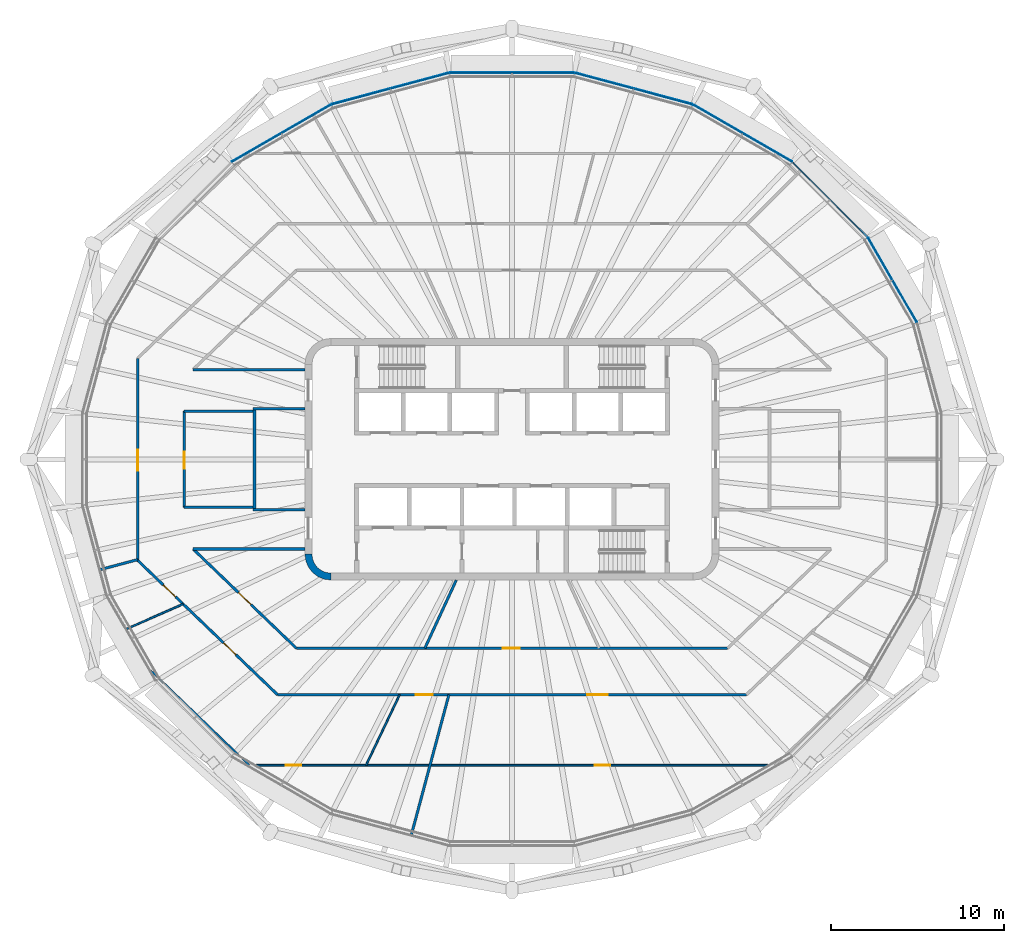
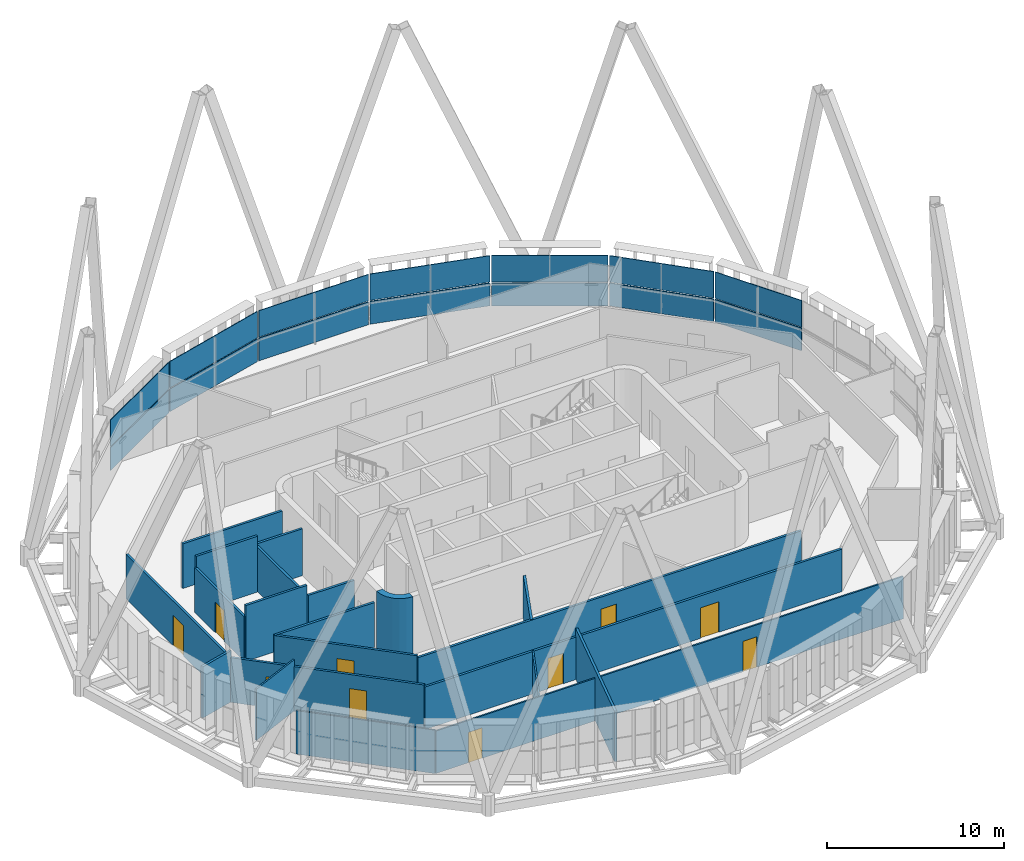
# One storey, part 8 of 18: 21 walls, 14 plates, 10 doors, 10 openings, 7 elements without a shape of their own.
"""IFC4 building model written with IfcOpenShell, lengths in metres."""

from ifc_helpers import new_model, si_unit, direction, frame, frame_2d, origin, place, context, subcontext, project, spatial, polyline, rectangle, outline, extrude, material, layer, layer_set, type_object, element, fill, aggregate, save


model = new_model("IFC4")

# Units and contexts
model_context = context("Model", 3, precision=1e-05, world=origin(), true_north=direction((0.0, 1.0)))
body_context = subcontext(model_context, "Body", "Model", "MODEL_VIEW")
ifc_project = project(units=[si_unit("LENGTHUNIT", "METRE"), si_unit("AREAUNIT", "SQUARE_METRE"), si_unit("VOLUMEUNIT", "CUBIC_METRE"), si_unit("PLANEANGLEUNIT", "RADIAN"), si_unit("MASSUNIT", "GRAM", prefix="KILO")], contexts=[model_context])

# Site, building, storey
site_placement = place(None, origin())
site = spatial("IfcSite", under=ifc_project, at=site_placement, CompositionType="ELEMENT")
building_placement = place(site_placement, origin())
building = spatial("IfcBuilding", under=site, at=building_placement, Name="Sahrelin Media Tower", CompositionType="ELEMENT")
storey_placement = place(building_placement, frame((0.0, 0.0, 316.39990234375)))
storey = spatial("IfcBuildingStorey", under=building, at=storey_placement, Name="L70", CompositionType="ELEMENT", Elevation=316.39990234375)

# Curtain wall, plate
ifc_material_1 = material(Name="Champagne anodised aluminium 6063-T6", Category="aluminium")
ifc_layer_1 = layer(ifc_material_1, 0.14990234375)
ifc_layer_set_1 = layer_set([ifc_layer_1], Name="Tower ribbon curtain wall")
curtain_wall_type = type_object("IfcCurtainWallType", Name="Tower ribbon curtain wall", PredefinedType="NOTDEFINED", material=ifc_layer_set_1)
curtain_wall_1_placement = place(storey_placement, frame((22.0615234375, 10.3876953125, 0.0), z_axis=(0.0, 0.0, 1.0), x_axis=(1.0, 0.0, 0.0)))
curtain_wall_1 = element("IfcCurtainWall", 1, at=curtain_wall_1_placement, inside=storey, type_object=curtain_wall_type, Name="L70:CW:L70-02", PredefinedType="NOTDEFINED")
ifc_material_2 = material(Name="Clear low-iron glazing", Category="glass")
ifc_layer_2 = layer(ifc_material_2, 0.048095703125)
ifc_layer_set_2 = layer_set([ifc_layer_2], Name="Glazing panel 48 mm CW1C")
plate_type_1 = type_object("IfcPlateType", Name="Glazing panel 48 mm CW1C", PredefinedType="CURTAIN_PANEL", material=ifc_layer_set_2)
plate_1_placement = place(storey_placement, frame((23.485107421875, 7.961669921875, 1.630126953125), z_axis=(0.866025866482, 0.499999198584, 0.0), x_axis=(-0.499999198584, 0.866025866482, 0.0)))
plate_1 = element("IfcPlate", 2, at=plate_1_placement, type_object=plate_type_1, Name="L70:CWP2:L70-02", PredefinedType="CURTAIN_PANEL", context=body_context, shape_type="SweptSolid", body=[
    extrude(outline(polyline([(0.0, 0.0), (5.62548828125, 0.0), (5.62548828125, 1.818603515625), (0.0, 1.818603515625), (0.0, 0.0)])), origin(), (0.0, 0.0, -1.0), 0.048095703125),
])

curtain_wall_2_placement = place(storey_placement, frame((18.447509765625, 15.04931640625, 0.0), z_axis=(0.0, 0.0, 1.0), x_axis=(1.0, 0.0, 0.0)))
curtain_wall_2 = element("IfcCurtainWall", 3, at=curtain_wall_2_placement, inside=storey, type_object=curtain_wall_type, Name="L70:CW:L70-03", PredefinedType="NOTDEFINED")
plate_2_placement = place(storey_placement, frame((20.60888671875, 12.916259765625, 1.630126953125), z_axis=(0.707106781187, 0.707106781187, 0.0), x_axis=(-0.707106781187, 0.707106781187, 0.0)))
plate_2 = element("IfcPlate", 4, at=plate_2_placement, type_object=plate_type_1, Name="L70:CWP2:L70-03", PredefinedType="CURTAIN_PANEL", context=body_context, shape_type="SweptSolid", body=[
    extrude(outline(polyline([(0.0, 0.0), (6.073486328125, 0.0), (6.073486328125, 1.818603515625), (0.0, 1.818603515625), (0.0, 0.0)])), origin(), (0.0, 0.0, -1.0), 0.048095703125),
])

curtain_wall_3_placement = place(storey_placement, frame((13.372314453125, 18.902099609375, 0.0), z_axis=(0.0, 0.0, 1.0), x_axis=(1.0, 0.0, 0.0)))
curtain_wall_3 = element("IfcCurtainWall", 5, at=curtain_wall_3_placement, inside=storey, type_object=curtain_wall_type, Name="L70:CW:L70-04", PredefinedType="NOTDEFINED")
plate_3_placement = place(storey_placement, frame((16.2314453125, 17.2744140625, 1.630126953125), z_axis=(0.50001794124, 0.866015045157, 0.0), x_axis=(-0.866015045157, 0.50001794124, 0.0)))
plate_3 = element("IfcPlate", 6, at=plate_3_placement, type_object=plate_type_1, Name="L70:CWP2:L70-04", PredefinedType="CURTAIN_PANEL", context=body_context, shape_type="SweptSolid", body=[
    extrude(outline(polyline([(0.0, 0.0), (6.579833984375, 0.0), (6.579833984375, 1.818603515625), (0.0, 1.818603515625), (0.0, 0.0)])), origin(), (0.0, 0.0, -1.0), 0.048095703125),
])

curtain_wall_4_placement = place(storey_placement, frame((7.0537109375, 21.489990234375, 0.0), z_axis=(0.0, 0.0, 1.0), x_axis=(1.0, 0.0, 0.0)))
curtain_wall_4 = element("IfcCurtainWall", 7, at=curtain_wall_4_placement, inside=storey, type_object=curtain_wall_type, Name="L70:CW:L70-05", PredefinedType="NOTDEFINED")
plate_4_placement = place(storey_placement, frame((10.436767578125, 20.6044921875, 1.630126953125), z_axis=(0.258805297461, 0.965929509854, 0.0), x_axis=(-0.965929509854, 0.258805297461, 0.0)))
plate_4 = element("IfcPlate", 8, at=plate_4_placement, type_object=plate_type_1, Name="L70:CWP2:L70-05", PredefinedType="CURTAIN_PANEL", context=body_context, shape_type="SweptSolid", body=[
    extrude(outline(polyline([(0.0, 0.0), (6.993896484375, 0.0), (6.993896484375, 1.818603515625), (0.0, 1.818603515625), (0.0, 0.0)])), origin(), (0.0, 0.0, -1.0), 0.048095703125),
])

curtain_wall_5_placement = place(storey_placement, frame((0.0, 22.408203125, 0.0), z_axis=(0.0, 0.0, 1.0), x_axis=(1.0, 0.0, 0.0)))
curtain_wall_5 = element("IfcCurtainWall", 9, at=curtain_wall_5_placement, inside=storey, type_object=curtain_wall_type, Name="L70:CW:L70-06", PredefinedType="NOTDEFINED")
plate_5_placement = place(storey_placement, frame((3.57763671875, 22.427978515625, 1.630126953125), z_axis=(0.0, 1.0, 0.0), x_axis=(-1.0, 0.0, 0.0)))
plate_5 = element("IfcPlate", 10, at=plate_5_placement, type_object=plate_type_1, Name="L70:CWP2:L70-06", PredefinedType="CURTAIN_PANEL", context=body_context, shape_type="SweptSolid", body=[
    extrude(outline(polyline([(0.0, 0.0), (7.1552734375, 0.0), (7.1552734375, 1.818603515625), (0.0, 1.818603515625), (0.0, 0.0)])), origin(), (0.0, 0.0, -1.0), 0.048095703125),
])

curtain_wall_6_placement = place(storey_placement, frame((-7.0537109375, 21.489990234375, 0.0), z_axis=(0.0, 0.0, 1.0), x_axis=(1.0, 0.0, 0.0)))
curtain_wall_6 = element("IfcCurtainWall", 11, at=curtain_wall_6_placement, inside=storey, type_object=curtain_wall_type, Name="L70:CW:L70-07", PredefinedType="NOTDEFINED")
plate_6_placement = place(storey_placement, frame((-3.68115234375, 22.41455078125, 1.630126953125), z_axis=(-0.258805297461, 0.965929509854, 0.0), x_axis=(-0.965929509854, -0.258805297461, 0.0)))
plate_6 = element("IfcPlate", 12, at=plate_6_placement, type_object=plate_type_1, Name="L70:CWP2:L70-07", PredefinedType="CURTAIN_PANEL", context=body_context, shape_type="SweptSolid", body=[
    extrude(outline(polyline([(0.0, 0.0), (6.993896484375, 0.0), (6.993896484375, 1.818603515625), (0.0, 1.818603515625), (0.0, 0.0)])), origin(), (0.0, 0.0, -1.0), 0.048095703125),
])

curtain_wall_7_placement = place(storey_placement, frame((-13.372314453125, 18.902099609375, 0.0), z_axis=(0.0, 0.0, 1.0), x_axis=(1.0, 0.0, 0.0)))
curtain_wall_7 = element("IfcCurtainWall", 13, at=curtain_wall_7_placement, inside=storey, type_object=curtain_wall_type, Name="L70:CW:L70-08", PredefinedType="NOTDEFINED")
plate_7_placement = place(storey_placement, frame((-10.533203125, 20.564453125, 1.630126953125), z_axis=(-0.50001794124, 0.866015045157, 0.0), x_axis=(-0.866015045157, -0.50001794124, 0.0)))
plate_7 = element("IfcPlate", 14, at=plate_7_placement, type_object=plate_type_1, Name="L70:CWP2:L70-08", PredefinedType="CURTAIN_PANEL", context=body_context, shape_type="SweptSolid", body=[
    extrude(outline(polyline([(0.0, 0.0), (6.579833984375, 0.0), (6.579833984375, 1.818603515625), (0.0, 1.818603515625), (0.0, 0.0)])), origin(), (0.0, 0.0, -1.0), 0.048095703125),
])

# Plate
ifc_material_3 = material(Name="Insulated spandrel panel")
ifc_layer_3 = layer(ifc_material_3, 0.06005859375)
ifc_layer_set_3 = layer_set([ifc_layer_3], Name="Spandrel panel 60 mm CW1")
plate_type_2 = type_object("IfcPlateType", Name="Spandrel panel 60 mm CW1", PredefinedType="SHEET", material=ifc_layer_set_3)
plate_8_placement = place(storey_placement, frame((23.485107421875, 7.961669921875, 0.0), z_axis=(0.866025866482, 0.499999198584, 0.0), x_axis=(-0.499999198584, 0.866025866482, 0.0)))
plate_8 = element("IfcPlate", 15, at=plate_8_placement, type_object=plate_type_2, Name="L70:CWP1:L70-02", PredefinedType="SHEET", context=body_context, shape_type="SweptSolid", body=[
    extrude(outline(polyline([(0.0, 0.0), (5.62548828125, 0.0), (5.62548828125, 1.570068359375), (0.0, 1.570068359375), (0.0, 0.0)])), origin(), (0.0, 0.0, -1.0), 0.06005859375),
])

aggregate(curtain_wall_1, [plate_8, plate_1])

plate_9_placement = place(storey_placement, frame((20.60888671875, 12.916259765625, 0.0), z_axis=(0.707106781187, 0.707106781187, 0.0), x_axis=(-0.707106781187, 0.707106781187, 0.0)))
plate_9 = element("IfcPlate", 16, at=plate_9_placement, type_object=plate_type_2, Name="L70:CWP1:L70-03", PredefinedType="SHEET", context=body_context, shape_type="SweptSolid", body=[
    extrude(outline(polyline([(0.0, 0.0), (6.073486328125, 0.0), (6.073486328125, 1.570068359375), (0.0, 1.570068359375), (0.0, 0.0)])), origin(), (0.0, 0.0, -1.0), 0.06005859375),
])

aggregate(curtain_wall_2, [plate_9, plate_2])

plate_10_placement = place(storey_placement, frame((16.2314453125, 17.2744140625, 0.0), z_axis=(0.50001794124, 0.866015045157, 0.0), x_axis=(-0.866015045157, 0.50001794124, 0.0)))
plate_10 = element("IfcPlate", 17, at=plate_10_placement, type_object=plate_type_2, Name="L70:CWP1:L70-04", PredefinedType="SHEET", context=body_context, shape_type="SweptSolid", body=[
    extrude(outline(polyline([(0.0, 0.0), (6.579833984375, 0.0), (6.579833984375, 1.570068359375), (0.0, 1.570068359375), (0.0, 0.0)])), origin(), (0.0, 0.0, -1.0), 0.06005859375),
])

aggregate(curtain_wall_3, [plate_10, plate_3])

plate_11_placement = place(storey_placement, frame((10.436767578125, 20.6044921875, 0.0), z_axis=(0.258805297461, 0.965929509854, 0.0), x_axis=(-0.965929509854, 0.258805297461, 0.0)))
plate_11 = element("IfcPlate", 18, at=plate_11_placement, type_object=plate_type_2, Name="L70:CWP1:L70-05", PredefinedType="SHEET", context=body_context, shape_type="SweptSolid", body=[
    extrude(outline(polyline([(0.0, 0.0), (6.993896484375, 0.0), (6.993896484375, 1.570068359375), (0.0, 1.570068359375), (0.0, 0.0)])), origin(), (0.0, 0.0, -1.0), 0.06005859375),
])

aggregate(curtain_wall_4, [plate_11, plate_4])

plate_12_placement = place(storey_placement, frame((3.57763671875, 22.427978515625, 0.0), z_axis=(0.0, 1.0, 0.0), x_axis=(-1.0, 0.0, 0.0)))
plate_12 = element("IfcPlate", 19, at=plate_12_placement, type_object=plate_type_2, Name="L70:CWP1:L70-06", PredefinedType="SHEET", context=body_context, shape_type="SweptSolid", body=[
    extrude(outline(polyline([(0.0, 0.0), (7.1552734375, 0.0), (7.1552734375, 1.570068359375), (0.0, 1.570068359375), (0.0, 0.0)])), origin(), (0.0, 0.0, -1.0), 0.06005859375),
])

aggregate(curtain_wall_5, [plate_12, plate_5])

plate_13_placement = place(storey_placement, frame((-3.68115234375, 22.41455078125, 0.0), z_axis=(-0.258805297461, 0.965929509854, 0.0), x_axis=(-0.965929509854, -0.258805297461, 0.0)))
plate_13 = element("IfcPlate", 20, at=plate_13_placement, type_object=plate_type_2, Name="L70:CWP1:L70-07", PredefinedType="SHEET", context=body_context, shape_type="SweptSolid", body=[
    extrude(outline(polyline([(0.0, 0.0), (6.993896484375, 0.0), (6.993896484375, 1.570068359375), (0.0, 1.570068359375), (0.0, 0.0)])), origin(), (0.0, 0.0, -1.0), 0.06005859375),
])

aggregate(curtain_wall_6, [plate_13, plate_6])

plate_14_placement = place(storey_placement, frame((-10.533203125, 20.564453125, 0.0), z_axis=(-0.50001794124, 0.866015045157, 0.0), x_axis=(-0.866015045157, -0.50001794124, 0.0)))
plate_14 = element("IfcPlate", 21, at=plate_14_placement, type_object=plate_type_2, Name="L70:CWP1:L70-08", PredefinedType="SHEET", context=body_context, shape_type="SweptSolid", body=[
    extrude(outline(polyline([(0.0, 0.0), (6.579833984375, 0.0), (6.579833984375, 1.570068359375), (0.0, 1.570068359375), (0.0, 0.0)])), origin(), (0.0, 0.0, -1.0), 0.06005859375),
])

aggregate(curtain_wall_7, [plate_14, plate_7])

# Walls
ifc_material_4 = material(Name="Concrete C60/75", Category="concrete")
ifc_layer_4 = layer(ifc_material_4, 0.39990234375)
ifc_layer_set_4 = layer_set([ifc_layer_4], Name="Core wall 400")
wall_type_1 = type_object("IfcWallType", Name="Core wall 400", PredefinedType="SHEAR", material=ifc_layer_set_4)
wall_1_placement = place(storey_placement, origin())
element("IfcWall", 22, at=wall_1_placement, inside=storey, type_object=wall_type_1, Name="Core wall corner SW L70", PredefinedType="SHEAR", context=body_context, shape_type="SweptSolid", body=[
    extrude(outline(polyline([(-10.5, -7.0), (-10.5, -6.596435546875), (-10.78369140625, -6.55908203125), (-11.04833984375, -6.44970703125), (-11.275390625, -6.275390625), (-11.44970703125, -6.04833984375), (-11.55908203125, -5.78369140625), (-11.596435546875, -5.5), (-12.0, -5.5), (-11.948974609375, -5.88818359375), (-11.799072265625, -6.25), (-11.560791015625, -6.560791015625), (-11.25, -6.799072265625), (-10.88818359375, -6.948974609375), (-10.5, -7.0)])), origin(), (0.0, 0.0, 1.0), 4.0),
])
ifc_material_5 = material(Name="Fire-rated gypsum board partition")
ifc_layer_5 = layer(ifc_material_5, 0.14990234375)
ifc_layer_set_5 = layer_set([ifc_layer_5], Name="Fire-rated partition 150")
wall_type_2 = type_object("IfcWallType", Name="Fire-rated partition 150", PredefinedType="PARTITIONING", material=ifc_layer_set_5)
wall_2_placement = place(storey_placement, frame((-14.925048828125, -2.85009765625, 0.0), z_axis=(0.0, 0.0, 1.0), x_axis=(0.0, 1.0, 0.0)))
element("IfcWall", 23, at=wall_2_placement, inside=storey, type_object=wall_type_2, Name="Core room fire partition", PredefinedType="PARTITIONING", context=body_context, shape_type="SweptSolid", body=[
    extrude(rectangle(XDim=5.7001953125, YDim=0.14990234375, at=frame_2d((2.85009765625, 0.0))), origin(), (0.0, 0.0, 1.0), 3.076171875),
])
for number, where, z_axis, x_axis, name in (
    (24, (-15.0, 2.925048828125, 0.0), (0.0, 0.0, 1.0), (1.0, 0.0, 0.0), "Core room fire partition"),
    (25, (-15.0, -2.925048828125, 0.0), (0.0, 0.0, 1.0), (1.0, 0.0, 0.0), "Core room fire partition"),
):
    element("IfcWall", number, at=place(storey_placement, frame(where, z_axis=z_axis, x_axis=x_axis)), inside=storey, type_object=wall_type_2, Name=name, PredefinedType="PARTITIONING", context=body_context, shape_type="SweptSolid", body=[
        extrude(rectangle(XDim=3.0, YDim=0.14990234375, at=frame_2d((1.5, 0.0))), origin(), (0.0, 0.0, 1.0), 3.2275390625),
    ])

# Wall, openings, doors
wall_3_placement = place(storey_placement, frame((-21.699951171875, -5.85498046875, 0.0), z_axis=(0.0, 0.0, 1.0), x_axis=(0.721260272646, -0.692664145963, 0.0)))
wall_3 = element("IfcWall", 26, at=wall_3_placement, inside=storey, type_object=wall_type_2, Name="Wall", PredefinedType="PARTITIONING", context=body_context, shape_type="SweptSolid", body=[
    extrude(rectangle(XDim=11.25244140625, YDim=0.14990234375, at=frame_2d((5.626220703125, 0.0))), origin(), (0.0, 0.0, 1.0), 3.076171875),
])
opening_1_placement = place(wall_3_placement, frame((2.05712890625, 0.0, 0.0)))
opening_1 = element("IfcOpeningElement", 27, at=opening_1_placement, cuts=wall_3, Name="Opening L70-D25", PredefinedType="OPENING", context=body_context, shape_type="SweptSolid", body=[
    extrude(rectangle(XDim=1.0, YDim=2.10009765625, at=frame_2d((0.5, 1.050048828125))), frame((0.0, 0.074951171875, 0.0), z_axis=(0.0, -1.0, 0.0), x_axis=(1.0, 0.0, 0.0)), (0.0, 0.0, 1.0), 0.14990234375),
])
opening_2_placement = place(wall_3_placement, frame((6.90478515625, 0.0, 0.0)))
opening_2 = element("IfcOpeningElement", 28, at=opening_2_placement, cuts=wall_3, Name="Opening L70-D26", PredefinedType="OPENING", context=body_context, shape_type="SweptSolid", body=[
    extrude(rectangle(XDim=1.0, YDim=2.10009765625, at=frame_2d((0.5, 1.050048828125))), frame((0.0, 0.074951171875, 0.0), z_axis=(0.0, -1.0, 0.0), x_axis=(1.0, 0.0, 0.0)), (0.0, 0.0, 1.0), 0.14990234375),
])
ifc_material_6 = material(Name="Steel fire door leaf", Category="steel")
door_type_1 = type_object("IfcDoorType", Name="Fire door 1000 x 2100 EI 60", OperationType="NOTDEFINED", PredefinedType="DOOR", material=ifc_material_6)
door_1_placement = place(opening_1_placement, origin())
door_1 = element("IfcDoor", 29, at=door_1_placement, inside=storey, type_object=door_type_1, Name="Fire door", OperationType="SINGLE_SWING_RIGHT", OverallHeight=2.10009765625, OverallWidth=1.0, PredefinedType="DOOR", context=body_context, shape_type="SweptSolid", body=[
    extrude(rectangle(XDim=1.0, YDim=2.10009765625, at=frame_2d((0.5, 1.050048828125))), frame((0.0, 0.02490234375, 0.0), z_axis=(0.0, -1.0, 0.0), x_axis=(1.0, 0.0, 0.0)), (0.0, 0.0, 1.0), 0.050048828125),
])
fill(opening_1, door_1)
door_2_placement = place(opening_2_placement, origin())
door_2 = element("IfcDoor", 30, at=door_2_placement, inside=storey, type_object=door_type_1, Name="Fire door", OperationType="SINGLE_SWING_LEFT", OverallHeight=2.10009765625, OverallWidth=1.0, PredefinedType="DOOR", context=body_context, shape_type="SweptSolid", body=[
    extrude(rectangle(XDim=1.0, YDim=2.10009765625, at=frame_2d((0.5, 1.050048828125))), frame((0.0, 0.02490234375, 0.0), z_axis=(0.0, -1.0, 0.0), x_axis=(1.0, 0.0, 0.0)), (0.0, 0.0, 1.0), 0.050048828125),
])
fill(opening_2, door_2)

# Wall, opening, door
wall_4_placement = place(storey_placement, frame((-18.48388671875, -5.199951171875, 0.0), z_axis=(0.0, 0.0, 1.0), x_axis=(0.721258572397, -0.692665916401, 0.0)))
wall_4 = element("IfcWall", 31, at=wall_4_placement, inside=storey, type_object=wall_type_2, Name="Wall", PredefinedType="PARTITIONING", context=body_context, shape_type="SweptSolid", body=[
    extrude(rectangle(XDim=8.299560546875, YDim=0.14990234375, at=frame_2d((4.14990234375, 0.0))), origin(), (0.0, 0.0, 1.0), 3.076171875),
])
opening_3_placement = place(wall_4_placement, frame((3.650390625, 0.0, 0.0)))
opening_3 = element("IfcOpeningElement", 32, at=opening_3_placement, cuts=wall_4, Name="Opening L70-D15", PredefinedType="OPENING", context=body_context, shape_type="SweptSolid", body=[
    extrude(rectangle(XDim=1.0, YDim=2.10009765625, at=frame_2d((0.5, 1.050048828125))), frame((0.0, 0.074951171875, 0.0), z_axis=(0.0, -1.0, 0.0), x_axis=(1.0, 0.0, 0.0)), (0.0, 0.0, 1.0), 0.14990234375),
])
door_3_placement = place(opening_3_placement, origin())
door_3 = element("IfcDoor", 33, at=door_3_placement, inside=storey, type_object=door_type_1, Name="Fire door", OperationType="SINGLE_SWING_LEFT", OverallHeight=2.10009765625, OverallWidth=1.0, PredefinedType="DOOR", context=body_context, shape_type="SweptSolid", body=[
    extrude(rectangle(XDim=1.0, YDim=2.10009765625, at=frame_2d((0.5, 1.050048828125))), frame((0.0, 0.02490234375, 0.0), z_axis=(0.0, -1.0, 0.0), x_axis=(1.0, 0.0, 0.0)), (0.0, 0.0, 1.0), 0.050048828125),
])
fill(opening_3, door_3)

# Wall, openings, doors
wall_5_placement = place(storey_placement, frame((-13.583984375, -13.64892578125, 0.0), z_axis=(0.0, 0.0, 1.0), x_axis=(1.0, 0.0, 0.0)))
wall_5 = element("IfcWall", 34, at=wall_5_placement, inside=storey, type_object=wall_type_2, Name="Wall", PredefinedType="PARTITIONING", context=body_context, shape_type="SweptSolid", body=[
    extrude(rectangle(XDim=27.16796875, YDim=0.14990234375, at=frame_2d((13.583984375, 0.0))), origin(), (0.0, 0.0, 1.0), 2.927001953125),
])
opening_4_placement = place(wall_5_placement, frame((7.99951171875, 0.0, 0.0)))
opening_4 = element("IfcOpeningElement", 35, at=opening_4_placement, cuts=wall_5, Name="Opening L70-D27", PredefinedType="OPENING", context=body_context, shape_type="SweptSolid", body=[
    extrude(rectangle(XDim=1.0, YDim=2.10009765625, at=frame_2d((0.5, 1.050048828125))), frame((0.0, 0.074951171875, 0.0), z_axis=(0.0, -1.0, 0.0), x_axis=(1.0, 0.0, 0.0)), (0.0, 0.0, 1.0), 0.14990234375),
])
opening_5_placement = place(wall_5_placement, frame((17.947509765625, 0.0, 0.0)))
opening_5 = element("IfcOpeningElement", 36, at=opening_5_placement, cuts=wall_5, Name="Opening L70-D29", PredefinedType="OPENING", context=body_context, shape_type="SweptSolid", body=[
    extrude(rectangle(XDim=1.199951171875, YDim=2.10009765625, at=frame_2d((0.60009765625, 1.050048828125))), frame((0.0, 0.074951171875, 0.0), z_axis=(0.0, -1.0, 0.0), x_axis=(1.0, 0.0, 0.0)), (0.0, 0.0, 1.0), 0.14990234375),
])
door_4_placement = place(opening_4_placement, origin())
door_4 = element("IfcDoor", 37, at=door_4_placement, inside=storey, type_object=door_type_1, Name="Fire door", OperationType="SINGLE_SWING_RIGHT", OverallHeight=2.10009765625, OverallWidth=1.0, PredefinedType="DOOR", context=body_context, shape_type="SweptSolid", body=[
    extrude(rectangle(XDim=1.0, YDim=2.10009765625, at=frame_2d((0.5, 1.050048828125))), frame((0.0, 0.02490234375, 0.0), z_axis=(0.0, -1.0, 0.0), x_axis=(1.0, 0.0, 0.0)), (0.0, 0.0, 1.0), 0.050048828125),
])
fill(opening_4, door_4)
door_type_2 = type_object("IfcDoorType", Name="Service double door 1200 x 2100 EI 60", OperationType="DOUBLE_DOOR_SINGLE_SWING", PredefinedType="DOOR", material=ifc_material_6)
door_5_placement = place(opening_5_placement, origin())
door_5 = element("IfcDoor", 38, at=door_5_placement, inside=storey, type_object=door_type_2, Name="Service double door", OperationType="DOUBLE_DOOR_SINGLE_SWING", OverallHeight=2.10009765625, OverallWidth=1.199951171875, PredefinedType="DOOR", context=body_context, shape_type="SweptSolid", body=[
    extrude(rectangle(XDim=1.199951171875, YDim=2.10009765625, at=frame_2d((0.60009765625, 1.050048828125))), frame((0.0, 0.02490234375, 0.0), z_axis=(0.0, -1.0, 0.0), x_axis=(1.0, 0.0, 0.0)), (0.0, 0.0, 1.0), 0.050048828125),
])
fill(opening_5, door_5)

# Wall, opening, door
wall_6_placement = place(storey_placement, frame((-12.498046875, -10.948974609375, 0.0), z_axis=(0.0, 0.0, 1.0), x_axis=(1.0, 0.0, 0.0)))
wall_6 = element("IfcWall", 39, at=wall_6_placement, inside=storey, type_object=wall_type_2, Name="Wall", PredefinedType="PARTITIONING", context=body_context, shape_type="SweptSolid", body=[
    extrude(rectangle(XDim=24.99609375, YDim=0.14990234375, at=frame_2d((12.498046875, 0.0))), origin(), (0.0, 0.0, 1.0), 2.927001953125),
])
opening_6_placement = place(wall_6_placement, frame((11.947998046875, 0.0, 0.0)))
opening_6 = element("IfcOpeningElement", 40, at=opening_6_placement, cuts=wall_6, Name="Opening L70-D16", PredefinedType="OPENING", context=body_context, shape_type="SweptSolid", body=[
    extrude(rectangle(XDim=1.0, YDim=2.10009765625, at=frame_2d((0.5, 1.050048828125))), frame((0.0, 0.074951171875, 0.0), z_axis=(0.0, -1.0, 0.0), x_axis=(1.0, 0.0, 0.0)), (0.0, 0.0, 1.0), 0.14990234375),
])
door_6_placement = place(opening_6_placement, origin())
door_6 = element("IfcDoor", 41, at=door_6_placement, inside=storey, type_object=door_type_1, Name="Fire door", OperationType="SINGLE_SWING_RIGHT", OverallHeight=2.10009765625, OverallWidth=1.0, PredefinedType="DOOR", context=body_context, shape_type="SweptSolid", body=[
    extrude(rectangle(XDim=1.0, YDim=2.10009765625, at=frame_2d((0.5, 1.050048828125))), frame((0.0, 0.02490234375, 0.0), z_axis=(0.0, -1.0, 0.0), x_axis=(1.0, 0.0, 0.0)), (0.0, 0.0, 1.0), 0.050048828125),
])
fill(opening_6, door_6)

# Walls
wall_7_placement = place(storey_placement, frame((-18.48388671875, -5.199951171875, 0.0), z_axis=(0.0, 0.0, 1.0), x_axis=(1.0, 0.0, 0.0)))
element("IfcWall", 42, at=wall_7_placement, inside=storey, type_object=wall_type_2, Name="Wall", PredefinedType="PARTITIONING", context=body_context, shape_type="SweptSolid", body=[
    extrude(rectangle(XDim=6.48388671875, YDim=0.14990234375, at=frame_2d((3.241943359375, 0.0))), origin(), (0.0, 0.0, 1.0), 3.076171875),
])
for number, where, z_axis, x_axis, name in (
    (43, (-19.0, -2.7900390625, 0.0), (0.0, 0.0, 1.0), (1.0, 0.0, 0.0), "Wall"),
    (44, (-19.0, 2.7900390625, 0.0), (0.0, 0.0, 1.0), (1.0, 0.0, 0.0), "Wall"),
):
    element("IfcWall", number, at=place(storey_placement, frame(where, z_axis=z_axis, x_axis=x_axis)), inside=storey, type_object=wall_type_2, Name=name, PredefinedType="PARTITIONING", context=body_context, shape_type="SweptSolid", body=[
        extrude(rectangle(XDim=4.0, YDim=0.14990234375, at=frame_2d((2.0, 0.0))), origin(), (0.0, 0.0, 1.0), 3.85009765625),
    ])
wall_8_placement = place(storey_placement, frame((-18.48388671875, 5.199951171875, 0.0), z_axis=(0.0, 0.0, 1.0), x_axis=(1.0, 0.0, 0.0)))
element("IfcWall", 45, at=wall_8_placement, inside=storey, type_object=wall_type_2, Name="Wall", PredefinedType="PARTITIONING", context=body_context, shape_type="SweptSolid", body=[
    extrude(rectangle(XDim=6.48388671875, YDim=0.14990234375, at=frame_2d((3.241943359375, 0.0))), origin(), (0.0, 0.0, 1.0), 3.076171875),
])
wall_9_placement = place(storey_placement, frame((-23.89599609375, -6.403076171875, 0.0), z_axis=(0.0, 0.0, 1.0), x_axis=(0.965958115434, 0.258698510292, 0.0)))
element("IfcWall", 46, at=wall_9_placement, inside=storey, type_object=wall_type_2, Name="Wall", PredefinedType="PARTITIONING", context=body_context, shape_type="SweptSolid", body=[
    extrude(rectangle(XDim=2.2734375, YDim=0.14990234375, at=frame_2d((1.13671875, 0.0))), origin(), (0.0, 0.0, 1.0), 3.526611328125),
])
wall_10_placement = place(storey_placement, frame((-5.050048828125, -10.948974609375, 0.0), z_axis=(0.0, 0.0, 1.0), x_axis=(0.418762657012, 0.908095720226, 0.0)))
element("IfcWall", 47, at=wall_10_placement, inside=storey, type_object=wall_type_2, Name="Wall", PredefinedType="PARTITIONING", context=body_context, shape_type="SweptSolid", body=[
    extrude(rectangle(XDim=4.3486328125, YDim=0.14990234375, at=frame_2d((2.17431640625, 0.0))), origin(), (0.0, 0.0, 1.0), 2.927001953125),
])
wall_11_placement = place(storey_placement, frame((-5.844970703125, -21.81396484375, 0.0), z_axis=(0.0, 0.0, 1.0), x_axis=(0.258838102213, 0.96592071975, 0.0)))
element("IfcWall", 48, at=wall_11_placement, inside=storey, type_object=wall_type_2, Name="Wall", PredefinedType="PARTITIONING", context=body_context, shape_type="SweptSolid", body=[
    extrude(rectangle(XDim=8.453125, YDim=0.14990234375, at=frame_2d((4.2265625, 0.0))), origin(), (0.0, 0.0, 1.0), 3.47509765625),
])

# Wall, opening, door
wall_12_placement = place(storey_placement, frame((-19.0, -2.7900390625, 0.0), z_axis=(0.0, 0.0, 1.0), x_axis=(0.0, 1.0, 0.0)))
wall_12 = element("IfcWall", 49, at=wall_12_placement, inside=storey, type_object=wall_type_2, Name="Wall", PredefinedType="PARTITIONING", context=body_context, shape_type="SweptSolid", body=[
    extrude(rectangle(XDim=5.580078125, YDim=0.14990234375, at=frame_2d((2.7900390625, 0.0))), origin(), (0.0, 0.0, 1.0), 3.076171875),
])
opening_7_placement = place(wall_12_placement, frame((2.23876953125, 0.0, 0.0)))
opening_7 = element("IfcOpeningElement", 50, at=opening_7_placement, cuts=wall_12, Name="Opening L70-D22", PredefinedType="OPENING", context=body_context, shape_type="SweptSolid", body=[
    extrude(rectangle(XDim=1.0, YDim=2.10009765625, at=frame_2d((0.5, 1.050048828125))), frame((0.0, 0.074951171875, 0.0), z_axis=(0.0, -1.0, 0.0), x_axis=(1.0, 0.0, 0.0)), (0.0, 0.0, 1.0), 0.14990234375),
])
door_7_placement = place(opening_7_placement, origin())
door_7 = element("IfcDoor", 51, at=door_7_placement, inside=storey, type_object=door_type_1, Name="Fire door", OperationType="SINGLE_SWING_LEFT", OverallHeight=2.10009765625, OverallWidth=1.0, PredefinedType="DOOR", context=body_context, shape_type="SweptSolid", body=[
    extrude(rectangle(XDim=1.0, YDim=2.10009765625, at=frame_2d((0.5, 1.050048828125))), frame((0.0, 0.02490234375, 0.0), z_axis=(0.0, -1.0, 0.0), x_axis=(1.0, 0.0, 0.0)), (0.0, 0.0, 1.0), 0.050048828125),
])
fill(opening_7, door_7)

wall_13_placement = place(storey_placement, frame((-21.699951171875, -5.85498046875, 0.0), z_axis=(0.0, 0.0, 1.0), x_axis=(0.0, 1.0, 0.0)))
wall_13 = element("IfcWall", 52, at=wall_13_placement, inside=storey, type_object=wall_type_2, Name="Wall", PredefinedType="PARTITIONING", context=body_context, shape_type="SweptSolid", body=[
    extrude(rectangle(XDim=11.7099609375, YDim=0.14990234375, at=frame_2d((5.85498046875, 0.0))), origin(), (0.0, 0.0, 1.0), 3.076171875),
])
opening_8_placement = place(wall_13_placement, frame((5.204833984375, 0.0, 0.0)))
opening_8 = element("IfcOpeningElement", 53, at=opening_8_placement, cuts=wall_13, Name="Opening L70-D23", PredefinedType="OPENING", context=body_context, shape_type="SweptSolid", body=[
    extrude(rectangle(XDim=1.199951171875, YDim=2.10009765625, at=frame_2d((0.60009765625, 1.050048828125))), frame((0.0, 0.074951171875, 0.0), z_axis=(0.0, -1.0, 0.0), x_axis=(1.0, 0.0, 0.0)), (0.0, 0.0, 1.0), 0.14990234375),
])
door_8_placement = place(opening_8_placement, origin())
door_8 = element("IfcDoor", 54, at=door_8_placement, inside=storey, type_object=door_type_2, Name="Service double door", OperationType="DOUBLE_DOOR_SINGLE_SWING", OverallHeight=2.10009765625, OverallWidth=1.199951171875, PredefinedType="DOOR", context=body_context, shape_type="SweptSolid", body=[
    extrude(rectangle(XDim=1.199951171875, YDim=2.10009765625, at=frame_2d((0.60009765625, 1.050048828125))), frame((0.0, 0.02490234375, 0.0), z_axis=(0.0, -1.0, 0.0), x_axis=(1.0, 0.0, 0.0)), (0.0, 0.0, 1.0), 0.050048828125),
])
fill(opening_8, door_8)

# Wall
ifc_material_7 = material(Name="Gypsum board partition")
ifc_layer_6 = layer(ifc_material_7, 0.10009765625)
ifc_layer_set_6 = layer_set([ifc_layer_6], Name="Partition 100")
wall_type_3 = type_object("IfcWallType", Name="Partition 100", PredefinedType="PARTITIONING", material=ifc_layer_set_6)
wall_14_placement = place(storey_placement, frame((-21.053955078125, -12.132080078125, 0.0), z_axis=(0.0, 0.0, 1.0), x_axis=(0.721165088677, -0.692763245902, 0.0)))
element("IfcWall", 55, at=wall_14_placement, inside=storey, type_object=wall_type_3, Name="Wall", PredefinedType="PARTITIONING", context=body_context, shape_type="SweptSolid", body=[
    extrude(rectangle(XDim=8.080078125, YDim=0.10009765625, at=frame_2d((4.0400390625, 0.0))), origin(), (0.0, 0.0, 1.0), 2.995361328125),
])

# Wall, openings, doors
wall_15_placement = place(storey_placement, frame((-15.22607421875, -17.72900390625, 0.0), z_axis=(0.0, 0.0, 1.0), x_axis=(1.0, 0.0, 0.0)))
wall_15 = element("IfcWall", 56, at=wall_15_placement, inside=storey, type_object=wall_type_3, Name="Wall", PredefinedType="PARTITIONING", context=body_context, shape_type="SweptSolid", body=[
    extrude(rectangle(XDim=30.4521484375, YDim=0.10009765625, at=frame_2d((15.22607421875, 0.0))), origin(), (0.0, 0.0, 1.0), 2.927001953125),
])
opening_9_placement = place(wall_15_placement, frame((2.122314453125, 0.0, 0.0)))
opening_9 = element("IfcOpeningElement", 57, at=opening_9_placement, cuts=wall_15, Name="Opening L70-D28", PredefinedType="OPENING", context=body_context, shape_type="SweptSolid", body=[
    extrude(rectangle(XDim=0.89990234375, YDim=2.10009765625, at=frame_2d((0.449951171875, 1.050048828125))), frame((0.0, 0.050048828125, 0.0), z_axis=(0.0, -1.0, 0.0), x_axis=(1.0, 0.0, 0.0)), (0.0, 0.0, 1.0), 0.10009765625),
])
opening_10_placement = place(wall_15_placement, frame((20.013916015625, 0.0, 0.0)))
opening_10 = element("IfcOpeningElement", 58, at=opening_10_placement, cuts=wall_15, Name="Opening L70-D30", PredefinedType="OPENING", context=body_context, shape_type="SweptSolid", body=[
    extrude(rectangle(XDim=0.89990234375, YDim=2.10009765625, at=frame_2d((0.449951171875, 1.050048828125))), frame((0.0, 0.050048828125, 0.0), z_axis=(0.0, -1.0, 0.0), x_axis=(1.0, 0.0, 0.0)), (0.0, 0.0, 1.0), 0.10009765625),
])
ifc_material_8 = material(Name="Timber door leaf", Category="wood")
door_type_3 = type_object("IfcDoorType", Name="Single door 900 x 2100", OperationType="NOTDEFINED", PredefinedType="DOOR", material=ifc_material_8)
door_9_placement = place(opening_9_placement, origin())
door_9 = element("IfcDoor", 59, at=door_9_placement, inside=storey, type_object=door_type_3, Name="Single door", OperationType="SINGLE_SWING_RIGHT", OverallHeight=2.10009765625, OverallWidth=0.89990234375, PredefinedType="DOOR", context=body_context, shape_type="SweptSolid", body=[
    extrude(rectangle(XDim=0.89990234375, YDim=2.10009765625, at=frame_2d((0.449951171875, 1.050048828125))), frame((0.0, 0.02490234375, 0.0), z_axis=(0.0, -1.0, 0.0), x_axis=(1.0, 0.0, 0.0)), (0.0, 0.0, 1.0), 0.050048828125),
])
fill(opening_9, door_9)
door_10_placement = place(opening_10_placement, origin())
door_10 = element("IfcDoor", 60, at=door_10_placement, inside=storey, type_object=door_type_3, Name="Single door", OperationType="SINGLE_SWING_RIGHT", OverallHeight=2.10009765625, OverallWidth=0.89990234375, PredefinedType="DOOR", context=body_context, shape_type="SweptSolid", body=[
    extrude(rectangle(XDim=0.89990234375, YDim=2.10009765625, at=frame_2d((0.449951171875, 1.050048828125))), frame((0.0, 0.02490234375, 0.0), z_axis=(0.0, -1.0, 0.0), x_axis=(1.0, 0.0, 0.0)), (0.0, 0.0, 1.0), 0.050048828125),
])
fill(opening_10, door_10)

# Walls
wall_16_placement = place(storey_placement, frame((-22.373046875, -9.846923828125, 0.0), z_axis=(0.0, 0.0, 1.0), x_axis=(0.915241401605, 0.402905915553, 0.0)))
element("IfcWall", 61, at=wall_16_placement, inside=storey, type_object=wall_type_3, Name="Wall", PredefinedType="PARTITIONING", context=body_context, shape_type="SweptSolid", body=[
    extrude(rectangle(XDim=3.61865234375, YDim=0.10009765625, at=frame_2d((1.809326171875, 0.0))), origin(), (0.0, 0.0, 1.0), 3.526611328125),
])
wall_17_placement = place(storey_placement, frame((-8.4580078125, -17.72900390625, 0.0), z_axis=(0.0, 0.0, 1.0), x_axis=(0.430501632586, 0.902589798491, 0.0)))
element("IfcWall", 62, at=wall_17_placement, inside=storey, type_object=wall_type_3, Name="Wall", PredefinedType="PARTITIONING", context=body_context, shape_type="SweptSolid", body=[
    extrude(rectangle(XDim=4.5205078125, YDim=0.10009765625, at=frame_2d((2.26025390625, 0.0))), origin(), (0.0, 0.0, 1.0), 2.927001953125),
])

save(model, "model.ifc")
